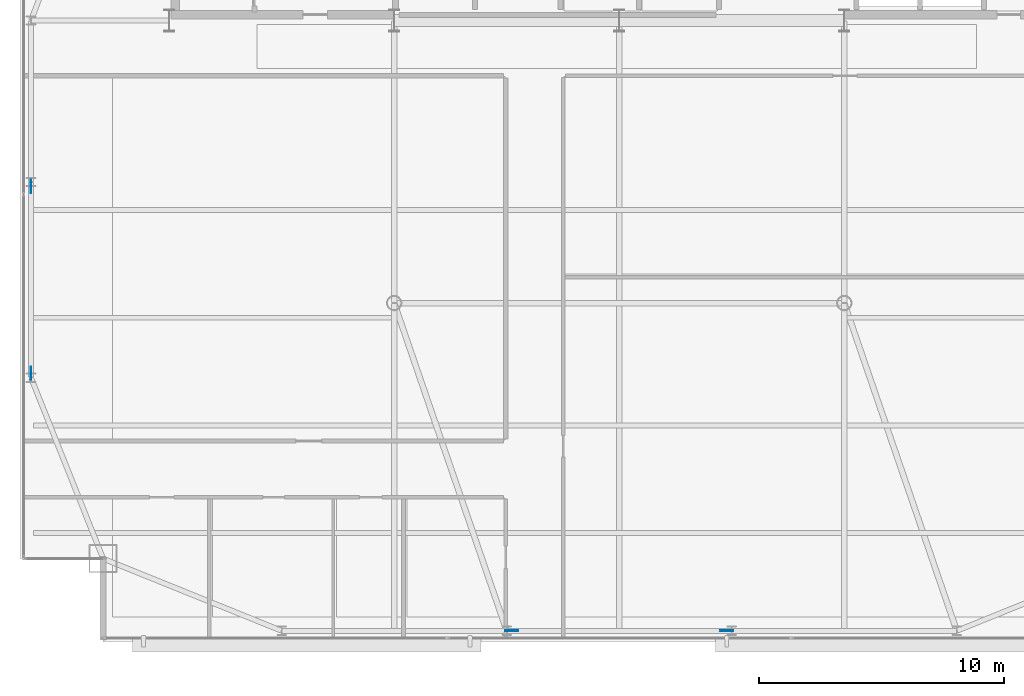
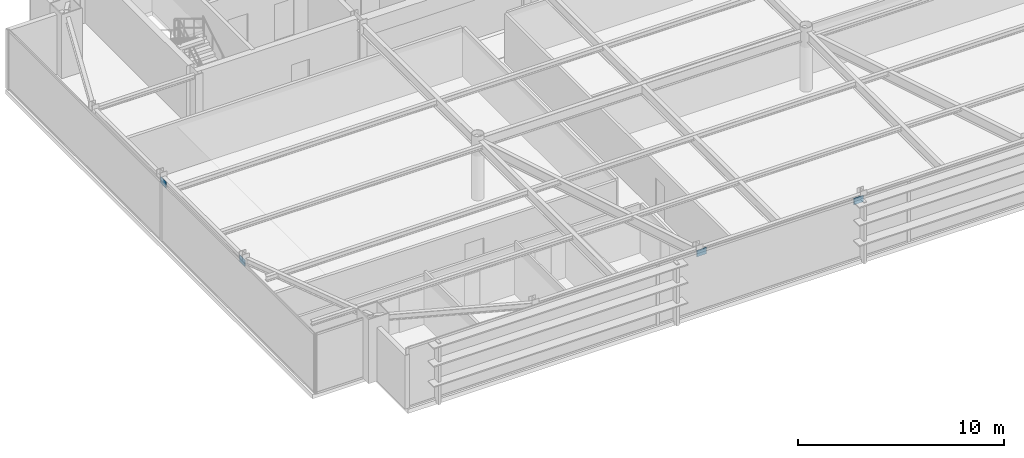
# One storey, part 20 of 25: 4 plates.
"""IFC4 building model written with IfcOpenShell, lengths in metres."""

from ifc_helpers import new_model, si_unit, direction, frame, origin, origin_2d, place, context, subcontext, project, spatial, rectangle, extrude, source, transform, mapped, material, layer, layer_set, type_object, type_shapes, element, save


model = new_model("IFC4")

# Units and contexts
model_context = context("Model", 3, precision=1e-05, world=origin(), true_north=direction((0.0, 1.0)))
body_context = subcontext(model_context, "Body", "Model", "MODEL_VIEW")
ifc_project = project(units=[si_unit("LENGTHUNIT", "METRE"), si_unit("AREAUNIT", "SQUARE_METRE"), si_unit("VOLUMEUNIT", "CUBIC_METRE"), si_unit("PLANEANGLEUNIT", "RADIAN"), si_unit("MASSUNIT", "GRAM", prefix="KILO")], contexts=[model_context])

# Site, building, storey
site_placement = place(None, origin())
site = spatial("IfcSite", under=ifc_project, at=site_placement, CompositionType="ELEMENT")
building_placement = place(site_placement, origin())
building = spatial("IfcBuilding", under=site, at=building_placement, Name="Varnel Quay Broadcast Tower", CompositionType="ELEMENT")
storey_placement = place(building_placement, frame((0.0, 0.0, 250.800048828125)))
storey = spatial("IfcBuildingStorey", under=building, at=storey_placement, Name="L62", CompositionType="ELEMENT", Elevation=250.800048828125)

# Plates
ifc_material = material(Name="Structural Steel CSA G40.21 350WT", Category="steel")
ifc_layer = layer(ifc_material, 0.031982421875, Name="Structural Steel CSA G40.21 350WT")
ifc_layer_set = layer_set([ifc_layer], Name="Structural Steel CSA G40.21 350WT")
plate_type = type_object("IfcPlateType", Name="Plate_EndCap", PredefinedType="USERDEFINED", material=ifc_layer_set)
shared_shape = source(origin(), body_context, "Body", "SweptSolid", [
    extrude(rectangle(XDim=0.5400390625, YDim=0.031982421875, at=origin_2d()), origin(), (0.0, 0.0, 1.0), 0.3798828125),
])
type_shapes(plate_type, [shared_shape])
for number, where, z_axis, x_axis, name in (
    (1, (38.400390625, 10.64990234375, 3.0166015625), (0.0, 0.0, 1.0), (1.0, 0.0, 0.0), "Zone 4 Mega-Brace S-C1T3 Diag A End Connection Plate P1"),
    (2, (29.599609375, 10.64990234375, 3.0166015625), (0.0, 0.0, 1.0), (1.0, 0.0, 0.0), "Zone 4 Mega-Brace S-C1T3 Diag B2 End Connection Plate P1"),
    (3, (9.949951171875, 28.8203125, 3.005126953125), (0.0, 0.0, 1.0), (0.0, 1.0, 0.0), "Zone 4 Mega-Brace W-FT3 Diag A End Connection Plate P1"),
    (4, (9.949951171875, 21.1796875, 3.005126953125), (0.0, 0.0, 1.0), (0.0, 1.0, 0.0), "Zone 4 Mega-Brace W-FT3 Diag B2 End Connection Plate P1"),
):
    element("IfcPlate", number, at=place(storey_placement, frame(where, z_axis=z_axis, x_axis=x_axis)), inside=storey, type_object=plate_type, Name=name, ObjectType="CAP_PLATE", PredefinedType="USERDEFINED", context=body_context, shape_type="MappedRepresentation", body=[
        mapped(shared_shape, transform((0.0, 0.0, 0.0), x_axis=(1.0, 0.0, 0.0), y_axis=(0.0, 1.0, 0.0), z_axis=(0.0, 0.0, 1.0), scale=1.0)),
    ])

save(model, "model.ifc")
